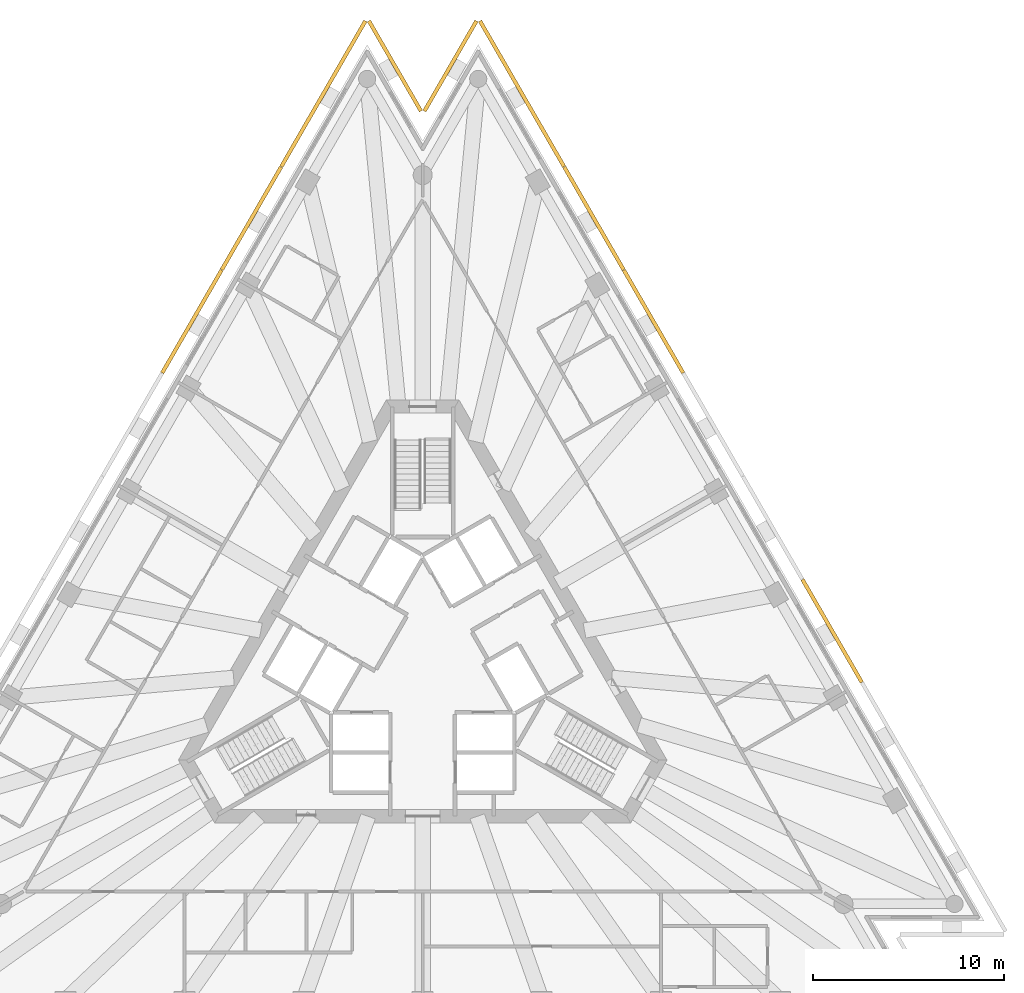
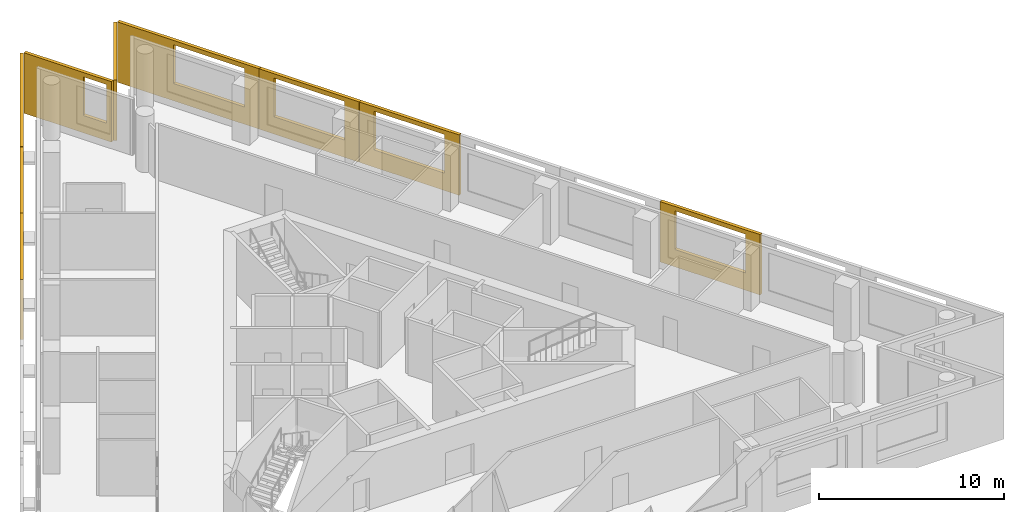
# One storey, part 10 of 10: 9 shading devices.
"""IFC4 building model written with IfcOpenShell, lengths in metres."""

from ifc_helpers import new_model, si_unit, direction, frame, origin, place, context, subcontext, project, spatial, polyline, outline, extrude, material, layer, layer_set, type_object, element, save


model = new_model("IFC4")

# Units and contexts
model_context = context("Model", 3, precision=1e-05, world=origin(), true_north=direction((0.0, 1.0)))
body_context = subcontext(model_context, "Body", "Model", "MODEL_VIEW")
ifc_project = project(units=[si_unit("LENGTHUNIT", "METRE"), si_unit("AREAUNIT", "SQUARE_METRE"), si_unit("VOLUMEUNIT", "CUBIC_METRE"), si_unit("PLANEANGLEUNIT", "RADIAN"), si_unit("MASSUNIT", "GRAM", prefix="KILO")], contexts=[model_context])

# Site, building, storey
site_placement = place(None, origin())
site = spatial("IfcSite", under=ifc_project, at=site_placement, CompositionType="ELEMENT")
building_placement = place(site_placement, origin())
building = spatial("IfcBuilding", under=site, at=building_placement, Name="Triada Interchange Tower", CompositionType="ELEMENT")
storey_placement = place(building_placement, frame((0.0, 0.0, 191.300048828125)))
storey = spatial("IfcBuildingStorey", under=building, at=storey_placement, Name="L44", CompositionType="ELEMENT", Elevation=191.300048828125)

# Shading devices
ifc_material = material(Name="Concrete C50/60 precast", Category="concrete")
ifc_layer_1 = layer(ifc_material, 0.02001953125, Name="Exposed aggregate face")
ifc_layer_2 = layer(ifc_material, 0.179931640625, Name="Precast concrete screen")
ifc_layer_set = layer_set([ifc_layer_1, ifc_layer_2], Name="Outer skin screen panel 3980")
shading_device_type = type_object("IfcShadingDeviceType", Name="Outer skin screen panel 3980", PredefinedType="SHUTTER", material=ifc_layer_set)
shading_device_1_placement = place(storey_placement, frame((-2.9189453125, 33.532958984375, -0.2900390625), z_axis=(0.0, 0.0, 1.0), x_axis=(-0.500030549092, -0.866007765539, 0.0)))
element("IfcShadingDevice", 1, at=shading_device_1_placement, inside=storey, type_object=shading_device_type, Name="Outer skin screen panel L44 01", PredefinedType="SHUTTER", context=body_context, shape_type="SweptSolid", body=[
    extrude(outline(polyline([(0.0, 0.0), (8.82568359375, 0.0), (8.82568359375, 3.97998046875), (0.0, 3.97998046875), (0.0, 0.0)]), holes=[polyline([(3.5126953125, 1.139892578125), (3.5126953125, 3.68994140625), (7.91259765625, 3.68994140625), (7.91259765625, 1.139892578125), (3.5126953125, 1.139892578125)])]), frame((0.0, 0.0, 0.0), z_axis=(0.0, -1.0, 0.0), x_axis=(1.0, 0.0, 0.0)), (0.0, 0.0, 1.0), 0.199951171875),
])
shading_device_2_placement = place(storey_placement, frame((-7.342041015625, 25.8720703125, -0.2900390625), z_axis=(0.0, 0.0, 1.0), x_axis=(-0.499971281829, -0.866041983593, 0.0)))
element("IfcShadingDevice", 2, at=shading_device_2_placement, inside=storey, type_object=shading_device_type, Name="Outer skin screen panel L44 02", PredefinedType="SHUTTER", context=body_context, shape_type="SweptSolid", body=[
    extrude(outline(polyline([(0.0, 0.0), (6.228271484375, 0.0), (6.228271484375, 3.97998046875), (0.0, 3.97998046875), (0.0, 0.0)]), holes=[polyline([(0.914306640625, 1.139892578125), (0.914306640625, 3.68994140625), (5.314208984375, 3.68994140625), (5.314208984375, 1.139892578125), (0.914306640625, 1.139892578125)])]), frame((0.0, 0.0, 0.0), z_axis=(0.0, -1.0, 0.0), x_axis=(1.0, 0.0, 0.0)), (0.0, 0.0, 1.0), 0.199951171875),
])
shading_device_3_placement = place(storey_placement, frame((-10.466064453125, 20.4609375, -0.2900390625), z_axis=(0.0, 0.0, 1.0), x_axis=(-0.499971281829, -0.866041983593, 0.0)))
element("IfcShadingDevice", 3, at=shading_device_3_placement, inside=storey, type_object=shading_device_type, Name="Outer skin screen panel L44 03", PredefinedType="SHUTTER", context=body_context, shape_type="SweptSolid", body=[
    extrude(outline(polyline([(0.0, 0.0), (6.228271484375, 0.0), (6.228271484375, 3.97998046875), (0.0, 3.97998046875), (0.0, 0.0)]), holes=[polyline([(0.9140625, 1.139892578125), (0.9140625, 3.68994140625), (5.31396484375, 3.68994140625), (5.31396484375, 1.139892578125), (0.9140625, 1.139892578125)])]), frame((0.0, 0.0, 0.0), z_axis=(0.0, -1.0, 0.0), x_axis=(1.0, 0.0, 0.0)), (0.0, 0.0, 1.0), 0.199951171875),
])
shading_device_4_placement = place(storey_placement, frame((22.952880859375, -1.166015625, -0.2900390625), z_axis=(0.0, 0.0, 1.0), x_axis=(-0.499941881293, 0.866058956036, 0.0)))
element("IfcShadingDevice", 4, at=shading_device_4_placement, inside=storey, type_object=shading_device_type, Name="Outer skin screen panel L44 23", PredefinedType="SHUTTER", context=body_context, shape_type="SweptSolid", body=[
    extrude(outline(polyline([(0.0, 0.0), (6.228271484375, 0.0), (6.228271484375, 3.97998046875), (0.0, 3.97998046875), (0.0, 0.0)]), holes=[polyline([(0.913818359375, 1.139892578125), (0.913818359375, 3.68994140625), (5.313720703125, 3.68994140625), (5.313720703125, 1.139892578125), (0.913818359375, 1.139892578125)])]), frame((0.0, 0.0, 0.0), z_axis=(0.0, -1.0, 0.0), x_axis=(1.0, 0.0, 0.0)), (0.0, 0.0, 1.0), 0.199951171875),
])
shading_device_5_placement = place(storey_placement, frame((13.580078125, 15.06689453125, -0.2900390625), z_axis=(0.0, 0.0, 1.0), x_axis=(-0.499971281829, 0.866041983593, 0.0)))
element("IfcShadingDevice", 5, at=shading_device_5_placement, inside=storey, type_object=shading_device_type, Name="Outer skin screen panel L44 26", PredefinedType="SHUTTER", context=body_context, shape_type="SweptSolid", body=[
    extrude(outline(polyline([(0.0, 0.0), (6.228271484375, 0.0), (6.228271484375, 3.97998046875), (0.0, 3.97998046875), (0.0, 0.0)]), holes=[polyline([(0.9140625, 1.139892578125), (0.9140625, 3.68994140625), (5.314208984375, 3.68994140625), (5.314208984375, 1.139892578125), (0.9140625, 1.139892578125)])]), frame((0.0, 0.0, 0.0), z_axis=(0.0, -1.0, 0.0), x_axis=(1.0, 0.0, 0.0)), (0.0, 0.0, 1.0), 0.199951171875),
])
shading_device_6_placement = place(storey_placement, frame((10.4560546875, 20.47802734375, -0.2900390625), z_axis=(0.0, 0.0, 1.0), x_axis=(-0.499971281829, 0.866041983593, 0.0)))
element("IfcShadingDevice", 6, at=shading_device_6_placement, inside=storey, type_object=shading_device_type, Name="Outer skin screen panel L44 27", PredefinedType="SHUTTER", context=body_context, shape_type="SweptSolid", body=[
    extrude(outline(polyline([(0.0, 0.0), (6.228271484375, 0.0), (6.228271484375, 3.97998046875), (0.0, 3.97998046875), (0.0, 0.0)]), holes=[polyline([(0.913818359375, 1.139892578125), (0.913818359375, 3.68994140625), (5.313720703125, 3.68994140625), (5.313720703125, 1.139892578125), (0.913818359375, 1.139892578125)])]), frame((0.0, 0.0, 0.0), z_axis=(0.0, -1.0, 0.0), x_axis=(1.0, 0.0, 0.0)), (0.0, 0.0, 1.0), 0.199951171875),
])
shading_device_7_placement = place(storey_placement, frame((7.33203125, 25.889892578125, -0.2900390625), z_axis=(0.0, 0.0, 1.0), x_axis=(-0.500030549092, 0.866007765539, 0.0)))
element("IfcShadingDevice", 7, at=shading_device_7_placement, inside=storey, type_object=shading_device_type, Name="Outer skin screen panel L44 28", PredefinedType="SHUTTER", context=body_context, shape_type="SweptSolid", body=[
    extrude(outline(polyline([(0.0, 0.0), (8.82568359375, 0.0), (8.82568359375, 3.97998046875), (0.0, 3.97998046875), (0.0, 0.0)]), holes=[polyline([(0.91357421875, 1.139892578125), (0.91357421875, 3.68994140625), (5.313720703125, 3.68994140625), (5.313720703125, 1.139892578125), (0.91357421875, 1.139892578125)])]), frame((0.0, 0.0, 0.0), z_axis=(0.0, -1.0, 0.0), x_axis=(1.0, 0.0, 0.0)), (0.0, 0.0, 1.0), 0.199951171875),
])
shading_device_8_placement = place(storey_placement, frame((2.908935546875, 33.532958984375, -0.2900390625), z_axis=(0.0, 0.0, 1.0), x_axis=(-0.500091376525, -0.865972641095, 0.0)))
element("IfcShadingDevice", 8, at=shading_device_8_placement, inside=storey, type_object=shading_device_type, Name="Outer skin screen panel L44 29", PredefinedType="SHUTTER", context=body_context, shape_type="SweptSolid", body=[
    extrude(outline(polyline([(0.0, 0.0), (5.4609375, 0.0), (5.4609375, 3.97998046875), (0.0, 3.97998046875), (0.0, 0.0)]), holes=[polyline([(3.175537109375, 1.139892578125), (3.175537109375, 3.68994140625), (5.161376953125, 3.68994140625), (5.161376953125, 1.139892578125), (3.175537109375, 1.139892578125)])]), frame((0.0, 0.0, 0.0), z_axis=(0.0, -1.0, 0.0), x_axis=(1.0, 0.0, 0.0)), (0.0, 0.0, 1.0), 0.199951171875),
])
shading_device_9_placement = place(storey_placement, frame((-0.177978515625, 28.803955078125, -0.2900390625), z_axis=(0.0, 0.0, 1.0), x_axis=(-0.500091376525, 0.865972641095, 0.0)))
element("IfcShadingDevice", 9, at=shading_device_9_placement, inside=storey, type_object=shading_device_type, Name="Outer skin screen panel L44 30", PredefinedType="SHUTTER", context=body_context, shape_type="SweptSolid", body=[
    extrude(outline(polyline([(0.0, 0.0), (5.4609375, 0.0), (5.4609375, 3.97998046875), (0.0, 3.97998046875), (0.0, 0.0)]), holes=[polyline([(0.300048828125, 1.139892578125), (0.300048828125, 3.68994140625), (1.7578125, 3.68994140625), (1.7578125, 1.139892578125), (0.300048828125, 1.139892578125)])]), frame((0.0, 0.0, 0.0), z_axis=(0.0, -1.0, 0.0), x_axis=(1.0, 0.0, 0.0)), (0.0, 0.0, 1.0), 0.199951171875),
])

save(model, "model.ifc")
